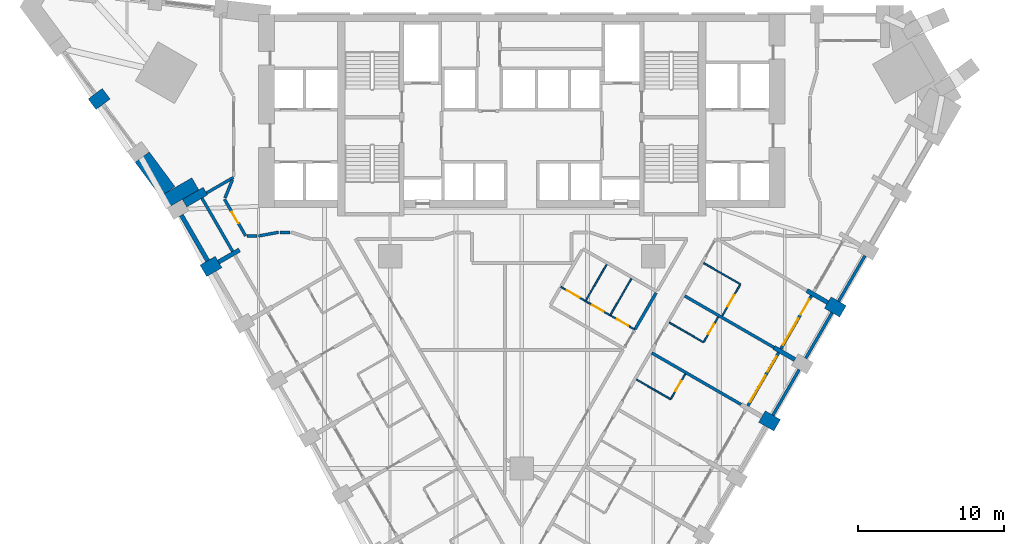
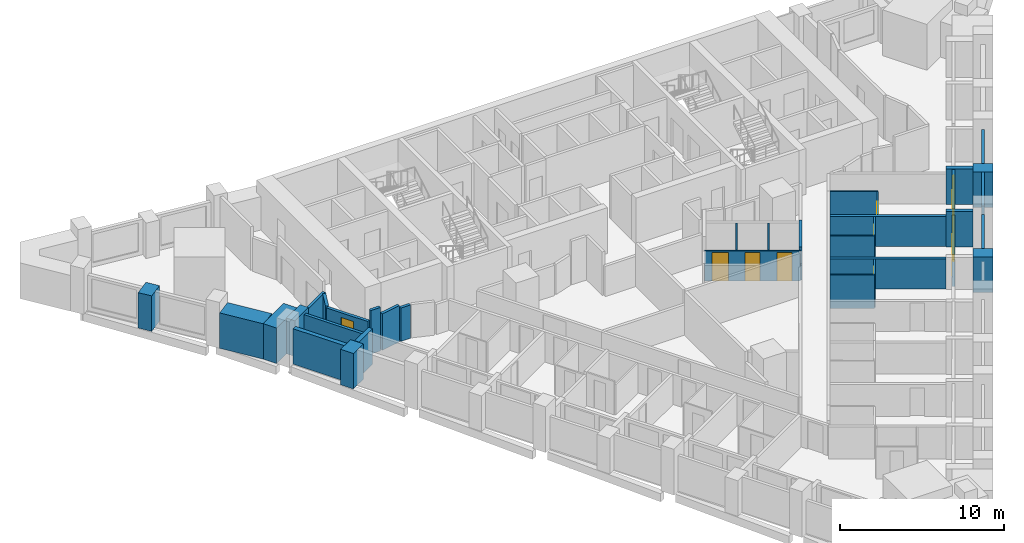
# One storey, part 6 of 12: 35 walls, 9 doors, 2 windows, 11 openings.
"""IFC4 building model written with IfcOpenShell, lengths in metres."""

from ifc_helpers import new_model, si_unit, direction, frame, frame_2d, origin, place, context, subcontext, project, spatial, polyline, rectangle, outline, extrude, material, layer, layer_set, type_object, element, fill, save


model = new_model("IFC4")

# Units and contexts
model_context = context("Model", 3, precision=1e-05, world=origin(), true_north=direction((0.0, 1.0)))
body_context = subcontext(model_context, "Body", "Model", "MODEL_VIEW")
ifc_project = project(units=[si_unit("LENGTHUNIT", "METRE"), si_unit("AREAUNIT", "SQUARE_METRE"), si_unit("VOLUMEUNIT", "CUBIC_METRE"), si_unit("PLANEANGLEUNIT", "RADIAN"), si_unit("MASSUNIT", "GRAM", prefix="KILO")], contexts=[model_context])

# Site, building, storey
site_placement = place(None, origin())
site = spatial("IfcSite", under=ifc_project, at=site_placement, CompositionType="ELEMENT")
building_placement = place(site_placement, origin())
building = spatial("IfcBuilding", under=site, at=building_placement, Name="Calabash Gate Tower", CompositionType="ELEMENT")
storey_placement = place(building_placement, frame((0.0, 0.0, 80.0)))
storey = spatial("IfcBuildingStorey", under=building, at=storey_placement, Name="L16", CompositionType="ELEMENT", Elevation=80.0)

# Walls
ifc_material_1 = material(Name="Terracotta brick masonry, exposed face", Category="masonry")
ifc_layer_1 = layer(ifc_material_1, 2.5)
ifc_layer_set_1 = layer_set([ifc_layer_1], Name="Brick corner mass wall 2500")
wall_type_1 = type_object("IfcWallType", Name="Brick corner mass wall 2500", PredefinedType="SOLIDWALL", material=ifc_layer_set_1)
wall_1_placement = place(storey_placement, frame((-22.32666015625, 7.466064453125, 0.0), z_axis=(0.0, 0.0, 1.0), x_axis=(-0.866022959057, -0.500004234368, 0.0)))
element("IfcWall", 1, at=wall_1_placement, inside=storey, type_object=wall_type_1, Name="Brick corner pier S04 1", PredefinedType="SOLIDWALL", context=body_context, shape_type="SweptSolid", body=[
    extrude(rectangle(XDim=2.5, YDim=0.951904296875, at=frame_2d((1.25, 0.0))), origin(), (0.0, 0.0, 1.0), 2.6298828125),
])
ifc_material_2 = material(Name="Terracotta brick masonry, exposed face", Category="masonry")
ifc_layer_2 = layer(ifc_material_2, 1.199951171875)
ifc_layer_set_2 = layer_set([ifc_layer_2], Name="Brick end wall 1200")
wall_type_2 = type_object("IfcWallType", Name="Brick end wall 1200", PredefinedType="SOLIDWALL", material=ifc_layer_set_2)
for number, where, z_axis, x_axis, name in (
    (2, (-21.77880859375, 1.51708984375, 0.0), (0.0, 0.0, 1.0), (0.866094119867, 0.499880961361, 0.0), "Brick pier S04 SW0.1"),
    (3, (17.467041015625, -9.05126953125, 0.0), (0.0, 0.0, 1.0), (-0.865955154139, 0.50012165622, 0.0), "Brick pier S04 SE2.5"),
    (4, (20.927978515625, -0.656982421875, 0.0), (0.0, 0.0, 1.0), (0.865955154139, -0.50012165622, 0.0), "Brick pier S04 SE2.7"),
    (5, (-29.388427734375, 12.91015625, 0.0), (0.0, 0.0, 1.0), (0.803477891264, 0.595334593527, 0.0), "Brick pier S04 wedge7.1"),
):
    element("IfcWall", number, at=place(storey_placement, frame(where, z_axis=z_axis, x_axis=x_axis)), inside=storey, type_object=wall_type_2, Name=name, PredefinedType="SOLIDWALL", context=body_context, shape_type="SweptSolid", body=[
        extrude(rectangle(XDim=1.199951171875, YDim=0.89990234375, at=frame_2d((0.60009765625, 0.0))), origin(), (0.0, 0.0, 1.0), 2.6298828125),
    ])
wall_2_placement = place(storey_placement, origin())
element("IfcWall", 6, at=wall_2_placement, inside=storey, type_object=wall_type_2, Name="Brick end wall S04 3", PredefinedType="SOLIDWALL", context=body_context, shape_type="SweptSolid", body=[
    extrude(outline(polyline([(-23.72802734375, 7.285400390625), (-25.4775390625, 9.64697265625), (-25.47802734375, 9.646728515625), (-25.47802734375, 9.646484375), (-26.441650390625, 8.9326171875), (-24.712646484375, 6.5986328125), (-24.729736328125, 6.628173828125), (-24.2099609375, 6.92822265625), (-23.72802734375, 7.285400390625)])), origin(), (0.0, 0.0, 1.0), 2.6298828125),
])
ifc_material_3 = material(Name="Terracotta brick masonry, exposed face", Category="masonry")
ifc_layer_3 = layer(ifc_material_3, 0.300048828125)
ifc_layer_set_3 = layer_set([ifc_layer_3], Name="Brick infill panel wall 300")
wall_type_3 = type_object("IfcWallType", Name="Brick infill panel wall 300", PredefinedType="SOLIDWALL", material=ifc_layer_set_3)
wall_3_placement = place(storey_placement, frame((-23.2841796875, 5.324462890625, 0.0), z_axis=(0.0, 0.0, 1.0), x_axis=(0.500012057535, -0.866018442252, 0.0)))
element("IfcWall", 7, at=wall_3_placement, inside=storey, type_object=wall_type_3, Name="Brick panel S04 SW0.1", PredefinedType="SOLIDWALL", context=body_context, shape_type="SweptSolid", body=[
    extrude(rectangle(XDim=3.60009765625, YDim=0.300048828125, at=frame_2d((1.800048828125, 0.0))), origin(), (0.0, 0.0, 1.0), 2.6298828125),
])
ifc_material_4 = material(Name="Terracotta brick masonry, exposed face", Category="masonry")
ifc_layer_4 = layer(ifc_material_4, 0.300048828125)
ifc_layer_set_4 = layer_set([ifc_layer_4], Name="Brick loggia cheek wall 300")
wall_type_4 = type_object("IfcWallType", Name="Brick loggia cheek wall 300", PredefinedType="SOLIDWALL", material=ifc_layer_set_4)
wall_4_placement = place(storey_placement, frame((-21.635498046875, 6.968994140625, 0.0), z_axis=(0.0, 0.0, 1.0), x_axis=(-0.866040211805, -0.499974350878, 0.0)))
element("IfcWall", 8, at=wall_4_placement, inside=storey, type_object=wall_type_4, Name="Loggia cheek S04 SW0.0", PredefinedType="SOLIDWALL", context=body_context, shape_type="SweptSolid", body=[
    extrude(rectangle(XDim=1.64990234375, YDim=0.60009765625, at=frame_2d((0.824951171875, 0.0))), origin(), (0.0, 0.0, 1.0), 2.64990234375),
])
wall_5_placement = place(storey_placement, frame((-20.739501953125, 2.116943359375, 0.0), z_axis=(0.0, 0.0, 1.0), x_axis=(0.865976140824, 0.500085316245, 0.0)))
element("IfcWall", 9, at=wall_5_placement, inside=storey, type_object=wall_type_4, Name="Loggia cheek S04 SW0.1", PredefinedType="SOLIDWALL", context=body_context, shape_type="SweptSolid", body=[
    extrude(rectangle(XDim=1.650146484375, YDim=0.300048828125, at=frame_2d((0.8251953125, 0.0))), origin(), (0.0, 0.0, 1.0), 2.64990234375),
])
wall_6_placement = place(storey_placement, frame((18.677490234375, -4.553955078125, 0.0), z_axis=(0.0, 0.0, 1.0), x_axis=(-0.865966208357, 0.500102515474, 0.0)))
element("IfcWall", 10, at=wall_6_placement, inside=storey, type_object=wall_type_4, Name="Loggia cheek S04 SE2.6", PredefinedType="SOLIDWALL", context=body_context, shape_type="SweptSolid", body=[
    extrude(rectangle(XDim=1.649658203125, YDim=0.300048828125, at=frame_2d((0.82470703125, 0.0))), origin(), (0.0, 0.0, 1.0), 2.6279296875),
])
wall_7_placement = place(storey_placement, frame((19.4990234375, 0.16796875, 0.0), z_axis=(0.0, 0.0, 1.0), x_axis=(0.866040211805, -0.499974350878, 0.0)))
element("IfcWall", 11, at=wall_7_placement, inside=storey, type_object=wall_type_4, Name="Loggia cheek S04 SE2.7", PredefinedType="SOLIDWALL", context=body_context, shape_type="SweptSolid", body=[
    extrude(rectangle(XDim=1.64990234375, YDim=0.300048828125, at=frame_2d((0.824951171875, 0.0))), origin(), (0.0, 0.0, 1.0), 2.64990234375),
])

# Wall, opening, door
ifc_material_5 = material(Name="Gypsum board on steel studs, mineral wool", Category="steel")
ifc_layer_5 = layer(ifc_material_5, 0.10009765625)
ifc_layer_set_5 = layer_set([ifc_layer_5], Name="Partition 100 gypsum board")
wall_type_5 = type_object("IfcWallType", Name="Partition 100 gypsum board", PredefinedType="PARTITIONING", material=ifc_layer_set_5)
wall_8_placement = place(storey_placement, frame((10.206787109375, -7.2265625, 0.0), z_axis=(0.0, 0.0, 1.0), x_axis=(0.49995005938, 0.866054235095, 0.0)))
wall_8 = element("IfcWall", 12, at=wall_8_placement, inside=storey, type_object=wall_type_5, Name="Partition", PredefinedType="PARTITIONING", context=body_context, shape_type="SweptSolid", body=[
    extrude(rectangle(XDim=1.949951171875, YDim=0.10009765625, at=frame_2d((0.97509765625, 0.0))), origin(), (0.0, 0.0, 1.0), 2.24169921875),
])
opening_1_placement = place(wall_8_placement, frame((0.60009765625, 0.0, 0.0)))
opening_1 = element("IfcOpeningElement", 13, at=opening_1_placement, cuts=wall_8, Name="Opening 15-17-021", PredefinedType="OPENING", context=body_context, shape_type="SweptSolid", body=[
    extrude(rectangle(XDim=0.800048828125, YDim=2.10009765625, at=frame_2d((0.39990234375, 1.050048828125))), frame((0.0, 0.06005859375, 0.0), z_axis=(0.0, -1.0, 0.0), x_axis=(1.0, 0.0, 0.0)), (0.0, 0.0, 1.0), 0.1201171875),
])
ifc_material_6 = material(Name="Painted timber door", Category="wood")
door_type_1 = type_object("IfcDoorType", Name="GD5 En-suite door 800x2100", OperationType="NOTDEFINED", PredefinedType="DOOR", material=ifc_material_6)
door_1_placement = place(opening_1_placement, origin())
door_1 = element("IfcDoor", 14, at=door_1_placement, inside=storey, type_object=door_type_1, Name="En-suite door", OperationType="SINGLE_SWING_RIGHT", OverallHeight=2.10009765625, OverallWidth=0.800048828125, PredefinedType="DOOR", context=body_context, shape_type="SweptSolid", body=[
    extrude(rectangle(XDim=0.800048828125, YDim=2.10009765625, at=frame_2d((0.39990234375, 1.050048828125))), frame((0.0, 0.02490234375, 0.0), z_axis=(0.0, -1.0, 0.0), x_axis=(1.0, 0.0, 0.0)), (0.0, 0.0, 1.0), 0.050048828125),
])
fill(opening_1, door_1)

# Wall
wall_9_placement = place(storey_placement, frame((7.844482421875, -5.91845703125, 0.0), z_axis=(0.0, 0.0, 1.0), x_axis=(0.865671764241, -0.500612022024, 0.0)))
element("IfcWall", 15, at=wall_9_placement, inside=storey, type_object=wall_type_5, Name="Partition", PredefinedType="PARTITIONING", context=body_context, shape_type="SweptSolid", body=[
    extrude(rectangle(XDim=2.69970703125, YDim=0.10009765625, at=frame_2d((1.349853515625, 0.0))), origin(), (0.0, 0.0, 1.0), 2.4736328125),
])

# Wall, opening, door
wall_10_placement = place(storey_placement, frame((12.456787109375, -3.32958984375, 0.0), z_axis=(0.0, 0.0, 1.0), x_axis=(0.49989585183, 0.866085525409, 0.0)))
wall_10 = element("IfcWall", 16, at=wall_10_placement, inside=storey, type_object=wall_type_5, Name="Partition", PredefinedType="PARTITIONING", context=body_context, shape_type="SweptSolid", body=[
    extrude(rectangle(XDim=1.9501953125, YDim=0.10009765625, at=frame_2d((0.97509765625, 0.0))), origin(), (0.0, 0.0, 1.0), 2.24169921875),
])
opening_2_placement = place(wall_10_placement, frame((0.60009765625, 0.0, 0.0)))
opening_2 = element("IfcOpeningElement", 17, at=opening_2_placement, cuts=wall_10, Name="Opening 15-17-024", PredefinedType="OPENING", context=body_context, shape_type="SweptSolid", body=[
    extrude(rectangle(XDim=0.800048828125, YDim=2.10009765625, at=frame_2d((0.39990234375, 1.050048828125))), frame((0.0, 0.06005859375, 0.0), z_axis=(0.0, -1.0, 0.0), x_axis=(1.0, 0.0, 0.0)), (0.0, 0.0, 1.0), 0.1201171875),
])
door_2_placement = place(opening_2_placement, origin())
door_2 = element("IfcDoor", 18, at=door_2_placement, inside=storey, type_object=door_type_1, Name="En-suite door", OperationType="SINGLE_SWING_RIGHT", OverallHeight=2.10009765625, OverallWidth=0.800048828125, PredefinedType="DOOR", context=body_context, shape_type="SweptSolid", body=[
    extrude(rectangle(XDim=0.800048828125, YDim=2.10009765625, at=frame_2d((0.39990234375, 1.050048828125))), frame((0.0, 0.02490234375, 0.0), z_axis=(0.0, -1.0, 0.0), x_axis=(1.0, 0.0, 0.0)), (0.0, 0.0, 1.0), 0.050048828125),
])
fill(opening_2, door_2)

# Wall
wall_11_placement = place(storey_placement, frame((10.094482421875, -2.021484375, 0.0), z_axis=(0.0, 0.0, 1.0), x_axis=(0.86571095196, -0.500544251447, 0.0)))
element("IfcWall", 19, at=wall_11_placement, inside=storey, type_object=wall_type_5, Name="Partition", PredefinedType="PARTITIONING", context=body_context, shape_type="SweptSolid", body=[
    extrude(rectangle(XDim=2.69970703125, YDim=0.10009765625, at=frame_2d((1.349853515625, 0.0))), origin(), (0.0, 0.0, 1.0), 2.24169921875),
])

# Wall, opening, door
wall_12_placement = place(storey_placement, frame((13.70361328125, -1.56640625, 0.0), z_axis=(0.0, 0.0, 1.0), x_axis=(0.500607988505, 0.865674096785, 0.0)))
wall_12 = element("IfcWall", 20, at=wall_12_placement, inside=storey, type_object=wall_type_5, Name="Partition", PredefinedType="PARTITIONING", context=body_context, shape_type="SweptSolid", body=[
    extrude(rectangle(XDim=2.44970703125, YDim=0.10009765625, at=frame_2d((1.224853515625, 0.0))), origin(), (0.0, 0.0, 1.0), 2.24169921875),
])
opening_3_placement = place(wall_12_placement, frame((0.749755859375, 0.0, 0.0)))
opening_3 = element("IfcOpeningElement", 21, at=opening_3_placement, cuts=wall_12, Name="Opening 15-17-026", PredefinedType="OPENING", context=body_context, shape_type="SweptSolid", body=[
    extrude(rectangle(XDim=0.89990234375, YDim=2.10009765625, at=frame_2d((0.449951171875, 1.050048828125))), frame((0.0, 0.06005859375, 0.0), z_axis=(0.0, -1.0, 0.0), x_axis=(1.0, 0.0, 0.0)), (0.0, 0.0, 1.0), 0.1201171875),
])
ifc_material_7 = material(Name="Painted timber door", Category="wood")
door_type_2 = type_object("IfcDoorType", Name="GD6 Accessible en-suite door 900x2100", OperationType="NOTDEFINED", PredefinedType="DOOR", material=ifc_material_7)
door_3_placement = place(opening_3_placement, origin())
door_3 = element("IfcDoor", 22, at=door_3_placement, inside=storey, type_object=door_type_2, Name="Accessible en-suite door", OperationType="SINGLE_SWING_RIGHT", OverallHeight=2.10009765625, OverallWidth=0.89990234375, PredefinedType="DOOR", context=body_context, shape_type="SweptSolid", body=[
    extrude(rectangle(XDim=0.89990234375, YDim=2.10009765625, at=frame_2d((0.449951171875, 1.050048828125))), frame((0.0, 0.02490234375, 0.0), z_axis=(0.0, -1.0, 0.0), x_axis=(1.0, 0.0, 0.0)), (0.0, 0.0, 1.0), 0.050048828125),
])
fill(opening_3, door_3)

# Walls
for number, where, z_axis, x_axis, name in (
    (23, (6.071044921875, -1.48583984375, 0.0), (0.0, 0.0, 1.0), (0.500536077286, 0.865715678115, 0.0), "Partition"),
    (24, (4.38232421875, -0.5107421875, 0.0), (0.0, 0.0, 1.0), (0.500536077286, 0.865715678115, 0.0), "Partition"),
):
    element("IfcWall", number, at=place(storey_placement, frame(where, z_axis=z_axis, x_axis=x_axis)), inside=storey, type_object=wall_type_5, Name=name, PredefinedType="PARTITIONING", context=body_context, shape_type="SweptSolid", body=[
        extrude(rectangle(XDim=2.847900390625, YDim=0.10009765625, at=frame_2d((1.423828125, 0.0))), origin(), (0.0, 0.0, 1.0), 2.24169921875),
    ])

# Wall, openings, doors
wall_13_placement = place(storey_placement, frame((2.67041015625, 0.419921875, 0.0), z_axis=(0.0, 0.0, 1.0), x_axis=(0.866025730634, -0.499999433879, 0.0)))
wall_13 = element("IfcWall", 25, at=wall_13_placement, inside=storey, type_object=wall_type_5, Name="Partition", PredefinedType="PARTITIONING", context=body_context, shape_type="SweptSolid", body=[
    extrude(rectangle(XDim=5.849609375, YDim=0.10009765625, at=frame_2d((2.9248046875, 0.0))), origin(), (0.0, 0.0, 1.0), 2.24169921875),
])
opening_4_placement = place(wall_13_placement, frame((4.4248046875, 0.0, 0.0)))
opening_4 = element("IfcOpeningElement", 26, at=opening_4_placement, cuts=wall_13, Name="Opening 15-17-033", PredefinedType="OPENING", context=body_context, shape_type="SweptSolid", body=[
    extrude(rectangle(XDim=0.89990234375, YDim=2.10009765625, at=frame_2d((0.449951171875, 1.050048828125))), frame((0.0, 0.06005859375, 0.0), z_axis=(0.0, -1.0, 0.0), x_axis=(1.0, 0.0, 0.0)), (0.0, 0.0, 1.0), 0.1201171875),
])
opening_5_placement = place(wall_13_placement, frame((2.474853515625, 0.0, 0.0)))
opening_5 = element("IfcOpeningElement", 27, at=opening_5_placement, cuts=wall_13, Name="Opening 15-17-034", PredefinedType="OPENING", context=body_context, shape_type="SweptSolid", body=[
    extrude(rectangle(XDim=0.89990234375, YDim=2.10009765625, at=frame_2d((0.449951171875, 1.050048828125))), frame((0.0, 0.06005859375, 0.0), z_axis=(0.0, -1.0, 0.0), x_axis=(1.0, 0.0, 0.0)), (0.0, 0.0, 1.0), 0.1201171875),
])
opening_6_placement = place(wall_13_placement, frame((0.474853515625, 0.0, 0.0)))
opening_6 = element("IfcOpeningElement", 28, at=opening_6_placement, cuts=wall_13, Name="Opening 15-17-035", PredefinedType="OPENING", context=body_context, shape_type="SweptSolid", body=[
    extrude(rectangle(XDim=1.0, YDim=2.10009765625, at=frame_2d((0.5, 1.050048828125))), frame((0.0, 0.06005859375, 0.0), z_axis=(0.0, -1.0, 0.0), x_axis=(1.0, 0.0, 0.0)), (0.0, 0.0, 1.0), 0.1201171875),
])
ifc_material_8 = material(Name="Painted timber door", Category="wood")
door_type_3 = type_object("IfcDoorType", Name="WD1 WC door 900x2100", OperationType="NOTDEFINED", PredefinedType="DOOR", material=ifc_material_8)
door_4_placement = place(opening_4_placement, origin())
door_4 = element("IfcDoor", 29, at=door_4_placement, inside=storey, type_object=door_type_3, Name="WC door", OperationType="SINGLE_SWING_RIGHT", OverallHeight=2.10009765625, OverallWidth=0.89990234375, PredefinedType="DOOR", context=body_context, shape_type="SweptSolid", body=[
    extrude(rectangle(XDim=0.89990234375, YDim=2.10009765625, at=frame_2d((0.449951171875, 1.050048828125))), frame((0.0, 0.02490234375, 0.0), z_axis=(0.0, -1.0, 0.0), x_axis=(1.0, 0.0, 0.0)), (0.0, 0.0, 1.0), 0.050048828125),
])
fill(opening_4, door_4)
door_5_placement = place(opening_5_placement, origin())
door_5 = element("IfcDoor", 30, at=door_5_placement, inside=storey, type_object=door_type_3, Name="WC door", OperationType="SINGLE_SWING_LEFT", OverallHeight=2.10009765625, OverallWidth=0.89990234375, PredefinedType="DOOR", context=body_context, shape_type="SweptSolid", body=[
    extrude(rectangle(XDim=0.89990234375, YDim=2.10009765625, at=frame_2d((0.449951171875, 1.050048828125))), frame((0.0, 0.02490234375, 0.0), z_axis=(0.0, -1.0, 0.0), x_axis=(1.0, 0.0, 0.0)), (0.0, 0.0, 1.0), 0.050048828125),
])
fill(opening_5, door_5)
ifc_material_9 = material(Name="Painted timber door", Category="wood")
door_type_4 = type_object("IfcDoorType", Name="WD2 Accessible WC door 1000x2100", OperationType="NOTDEFINED", PredefinedType="DOOR", material=ifc_material_9)
door_6_placement = place(opening_6_placement, origin())
door_6 = element("IfcDoor", 31, at=door_6_placement, inside=storey, type_object=door_type_4, Name="Accessible WC door", OperationType="SINGLE_SWING_LEFT", OverallHeight=2.10009765625, OverallWidth=1.0, PredefinedType="DOOR", context=body_context, shape_type="SweptSolid", body=[
    extrude(rectangle(XDim=1.0, YDim=2.10009765625, at=frame_2d((0.5, 1.050048828125))), frame((0.0, 0.02490234375, 0.0), z_axis=(0.0, -1.0, 0.0), x_axis=(1.0, 0.0, 0.0)), (0.0, 0.0, 1.0), 0.050048828125),
])
fill(opening_6, door_6)

# Walls
wall_14_placement = place(storey_placement, frame((12.44287109375, 2.0458984375, 0.0), z_axis=(0.0, 0.0, 1.0), x_axis=(0.866329932158, -0.499472170042, 0.0)))
element("IfcWall", 32, at=wall_14_placement, inside=storey, type_object=wall_type_5, Name="Partition", PredefinedType="PARTITIONING", context=body_context, shape_type="SweptSolid", body=[
    extrude(rectangle(XDim=2.899658203125, YDim=0.10009765625, at=frame_2d((1.44970703125, 0.0))), origin(), (0.0, 0.0, 1.0), 2.24169921875),
])
ifc_material_10 = material(Name="Gypsum board on steel studs, mineral wool", Category="steel")
ifc_layer_6 = layer(ifc_material_10, 0.199951171875)
ifc_layer_set_6 = layer_set([ifc_layer_6], Name="Partition 200 gypsum board EI 60")
wall_type_6 = type_object("IfcWallType", Name="Partition 200 gypsum board EI 60", PredefinedType="PARTITIONING", material=ifc_layer_set_6)
wall_15_placement = place(storey_placement, frame((8.89453125, -4.099609375, 0.0), z_axis=(0.0, 0.0, 1.0), x_axis=(0.865906406618, -0.500206052519, 0.0)))
element("IfcWall", 33, at=wall_15_placement, inside=storey, type_object=wall_type_6, Name="Partition", PredefinedType="PARTITIONING", context=body_context, shape_type="SweptSolid", body=[
    extrude(rectangle(XDim=7.0498046875, YDim=0.199951171875, at=frame_2d((3.52490234375, 0.0))), origin(), (0.0, 0.0, 1.0), 2.24169921875),
])
wall_16_placement = place(storey_placement, frame((7.7587890625, -2.46240234375, 0.0), z_axis=(0.0, 0.0, 1.0), x_axis=(0.500533044877, 0.865717431375, 0.0)))
element("IfcWall", 34, at=wall_16_placement, inside=storey, type_object=wall_type_6, Name="Partition", PredefinedType="PARTITIONING", context=body_context, shape_type="SweptSolid", body=[
    extrude(rectangle(XDim=2.85009765625, YDim=0.199951171875, at=frame_2d((1.425048828125, 0.0))), origin(), (0.0, 0.0, 1.0), 2.4736328125),
])
wall_17_placement = place(storey_placement, frame((11.14453125, -0.202392578125, 0.0), z_axis=(0.0, 0.0, 1.0), x_axis=(0.866031034943, -0.499990246421, 0.0)))
element("IfcWall", 35, at=wall_17_placement, inside=storey, type_object=wall_type_6, Name="Partition", PredefinedType="PARTITIONING", context=body_context, shape_type="SweptSolid", body=[
    extrude(rectangle(XDim=7.050048828125, YDim=0.199951171875, at=frame_2d((3.52490234375, 0.0))), origin(), (0.0, 0.0, 1.0), 2.24169921875),
])

# Wall, opening, door
wall_18_placement = place(storey_placement, frame((-20.333984375, 6.4140625, 0.0), z_axis=(0.0, 0.0, 1.0), x_axis=(0.499991774685, -0.86603015262, 0.0)))
wall_18 = element("IfcWall", 36, at=wall_18_placement, inside=storey, type_object=wall_type_6, Name="Partition", PredefinedType="PARTITIONING", context=body_context, shape_type="SweptSolid", body=[
    extrude(rectangle(XDim=2.9033203125, YDim=0.199951171875, at=frame_2d((1.45166015625, 0.0))), origin(), (0.0, 0.0, 1.0), 2.4501953125),
])
opening_7_placement = place(wall_18_placement, frame((1.001708984375, 0.0, 0.0)))
opening_7 = element("IfcOpeningElement", 37, at=opening_7_placement, cuts=wall_18, Name="Opening 15-17-039", PredefinedType="OPENING", context=body_context, shape_type="SweptSolid", body=[
    extrude(rectangle(XDim=0.89990234375, YDim=2.10009765625, at=frame_2d((0.449951171875, 1.050048828125))), frame((0.0, 0.10986328125, 0.0), z_axis=(0.0, -1.0, 0.0), x_axis=(1.0, 0.0, 0.0)), (0.0, 0.0, 1.0), 0.219970703125),
])
ifc_material_11 = material(Name="Steel fire door set with fire-resisting glazing", Category="steel")
door_type_5 = type_object("IfcDoorType", Name="SD3 Store door 900x2100", OperationType="NOTDEFINED", PredefinedType="DOOR", material=ifc_material_11)
door_7_placement = place(opening_7_placement, origin())
door_7 = element("IfcDoor", 38, at=door_7_placement, inside=storey, type_object=door_type_5, Name="Store door", OperationType="SINGLE_SWING_RIGHT", OverallHeight=2.10009765625, OverallWidth=0.89990234375, PredefinedType="DOOR", context=body_context, shape_type="SweptSolid", body=[
    extrude(rectangle(XDim=0.89990234375, YDim=2.10009765625, at=frame_2d((0.449951171875, 1.050048828125))), frame((0.0, 0.02490234375, 0.0), z_axis=(0.0, -1.0, 0.0), x_axis=(1.0, 0.0, 0.0)), (0.0, 0.0, 1.0), 0.050048828125),
])
fill(opening_7, door_7)

# Walls
wall_19_placement = place(storey_placement, frame((-18.782470703125, 3.8994140625, 0.0), z_axis=(0.0, 0.0, 1.0), x_axis=(1.0, 0.0, 0.0)))
element("IfcWall", 39, at=wall_19_placement, inside=storey, type_object=wall_type_6, Name="Partition", PredefinedType="PARTITIONING", context=body_context, shape_type="SweptSolid", body=[
    extrude(rectangle(XDim=0.682373046875, YDim=0.199951171875, at=frame_2d((0.34130859375, 0.0))), origin(), (0.0, 0.0, 1.0), 3.22998046875),
])
wall_20_placement = place(storey_placement, frame((-18.0, 3.8994140625, 0.0), z_axis=(0.0, 0.0, 1.0), x_axis=(0.983117478865, 0.182975470352, 0.0)))
element("IfcWall", 40, at=wall_20_placement, inside=storey, type_object=wall_type_6, Name="Partition", PredefinedType="PARTITIONING", context=body_context, shape_type="SweptSolid", body=[
    extrude(rectangle(XDim=1.380859375, YDim=0.199951171875, at=frame_2d((0.6904296875, 0.0))), origin(), (0.0, 0.0, 1.0), 2.701904296875),
])
wall_21_placement = place(storey_placement, frame((-16.542236328125, 4.152099609375, 0.0), z_axis=(0.0, 0.0, 1.0), x_axis=(1.0, 0.0, 0.0)))
element("IfcWall", 41, at=wall_21_placement, inside=storey, type_object=wall_type_6, Name="Partition", PredefinedType="PARTITIONING", context=body_context, shape_type="SweptSolid", body=[
    extrude(rectangle(XDim=0.684326171875, YDim=0.199951171875, at=frame_2d((0.34228515625, 0.0))), origin(), (0.0, 0.0, 1.0), 2.4736328125),
])
wall_22_placement = place(storey_placement, frame((-20.296142578125, 6.506591796875, 0.0), z_axis=(0.0, 0.0, 1.0), x_axis=(0.379924425103, 0.925017530218, 0.0)))
element("IfcWall", 42, at=wall_22_placement, inside=storey, type_object=wall_type_6, Name="Partition", PredefinedType="PARTITIONING", context=body_context, shape_type="SweptSolid", body=[
    extrude(rectangle(XDim=1.339111328125, YDim=0.199951171875, at=frame_2d((0.66943359375, 0.0))), origin(), (0.0, 0.0, 1.0), 2.4736328125),
])
wall_23_placement = place(storey_placement, frame((-21.560546875, 6.839111328125, 0.0), z_axis=(0.0, 0.0, 1.0), x_axis=(0.866480611472, 0.499210726992, 0.0)))
element("IfcWall", 43, at=wall_23_placement, inside=storey, type_object=wall_type_6, Name="Partition", PredefinedType="PARTITIONING", context=body_context, shape_type="SweptSolid", body=[
    extrude(rectangle(XDim=2.12060546875, YDim=0.199951171875, at=frame_2d((1.060302734375, 0.0))), origin(), (0.0, 0.0, 1.0), 2.4736328125),
])
ifc_material_12 = material(Name="Terracotta brick masonry, perforated", Category="masonry")
ifc_layer_7 = layer(ifc_material_12, 0.199951171875)
ifc_layer_set_7 = layer_set([ifc_layer_7], Name="Terracotta jaali screen B")
wall_type_7 = type_object("IfcWallType", Name="Terracotta jaali screen B", PredefinedType="SOLIDWALL", material=ifc_layer_set_7)
for number, where, z_axis, x_axis, name in (
    (44, (17.17236328125, -8.361572265625, 0.0), (0.0, 0.0, 1.0), (0.500012057535, 0.866018442252, 0.0), "SCREEN B S04 SE2.6"),
    (45, (19.42236328125, -4.46435546875, 0.0), (0.0, 0.0, 1.0), (0.500012057535, 0.866018442252, 0.0), "SCREEN B S04 SE2.7"),
):
    element("IfcWall", number, at=place(storey_placement, frame(where, z_axis=z_axis, x_axis=x_axis)), inside=storey, type_object=wall_type_7, Name=name, PredefinedType="SOLIDWALL", context=body_context, shape_type="SweptSolid", body=[
        extrude(rectangle(XDim=3.60009765625, YDim=0.199951171875, at=frame_2d((1.800048828125, 0.0))), origin(), (0.0, 0.0, 1.0), 2.6298828125),
    ])
wall_24_placement = place(storey_placement, frame((21.67236328125, -0.5673828125, 0.0), z_axis=(0.0, 0.0, 1.0), x_axis=(0.499982693035, 0.866035395735, 0.0)))
element("IfcWall", 46, at=wall_24_placement, inside=storey, type_object=wall_type_7, Name="SCREEN B S04 SE2.8", PredefinedType="SOLIDWALL", context=body_context, shape_type="SweptSolid", body=[
    extrude(rectangle(XDim=3.600341796875, YDim=0.199951171875, at=frame_2d((1.80029296875, 0.0))), origin(), (0.0, 0.0, 1.0), 2.6298828125),
])
ifc_material_13 = material(Name="Aluminium framed window wall with insulated spandrel", Category="aluminium")
ifc_layer_8 = layer(ifc_material_13, 0.199951171875)
ifc_layer_set_8 = layer_set([ifc_layer_8], Name="Window wall 200")
wall_type_8 = type_object("IfcWallType", Name="Window wall 200", PredefinedType="ELEMENTEDWALL", material=ifc_layer_set_8)
wall_25_placement = place(storey_placement, frame((-21.875244140625, 6.484130859375, 0.0), z_axis=(0.0, 0.0, 1.0), x_axis=(0.49998411664, -0.866034573852, 0.0)))
element("IfcWall", 47, at=wall_25_placement, inside=storey, type_object=wall_type_8, Name="Window wall S04 SW0.1", PredefinedType="ELEMENTEDWALL", context=body_context, shape_type="SweptSolid", body=[
    extrude(rectangle(XDim=4.199951171875, YDim=0.199951171875, at=frame_2d((2.10009765625, 0.0))), origin(), (0.0, 0.0, 1.0), 2.4501953125),
])

# Wall, openings, door, window
wall_26_placement = place(storey_placement, frame((15.463623046875, -7.72119140625, 0.0), z_axis=(0.0, 0.0, 1.0), x_axis=(0.500027713859, 0.866009402589, 0.0)))
wall_26 = element("IfcWall", 48, at=wall_26_placement, inside=storey, type_object=wall_type_8, Name="Window wall S04 SE2.6", PredefinedType="ELEMENTEDWALL", context=body_context, shape_type="SweptSolid", body=[
    extrude(rectangle(XDim=4.199951171875, YDim=0.199951171875, at=frame_2d((2.10009765625, 0.0))), origin(), (0.0, 0.0, 1.0), 2.384033203125),
])
opening_8_placement = place(wall_26_placement, frame((0.300048828125, 0.0, 0.60009765625)))
opening_8 = element("IfcOpeningElement", 49, at=opening_8_placement, cuts=wall_26, Name="Opening HW1L-1680", PredefinedType="OPENING", context=body_context, shape_type="SweptSolid", body=[
    extrude(rectangle(XDim=2.10009765625, YDim=1.679931640625, at=frame_2d((1.050048828125, 0.83984375))), frame((0.0, 0.10986328125, 0.0), z_axis=(0.0, -1.0, 0.0), x_axis=(1.0, 0.0, 0.0)), (0.0, 0.0, 1.0), 0.219970703125),
])
opening_9_placement = place(wall_26_placement, frame((2.699951171875, 0.0, 0.0)))
opening_9 = element("IfcOpeningElement", 50, at=opening_9_placement, cuts=wall_26, Name="Opening H4-023", PredefinedType="OPENING", context=body_context, shape_type="SweptSolid", body=[
    extrude(rectangle(XDim=1.199951171875, YDim=2.280029296875, at=frame_2d((0.60009765625, 1.14013671875))), frame((0.0, 0.10986328125, 0.0), z_axis=(0.0, -1.0, 0.0), x_axis=(1.0, 0.0, 0.0)), (0.0, 0.0, 1.0), 0.219970703125),
])
ifc_material_14 = material(Name="Anodised aluminium frame, bronze finish, impact-rated laminated clear glazing", Category="aluminium")
door_type_6 = type_object("IfcDoorType", Name="Loggia door DH1L-2280 1200x2280", OperationType="SLIDING_TO_LEFT", PredefinedType="DOOR", material=ifc_material_14)
door_8_placement = place(opening_9_placement, origin())
door_8 = element("IfcDoor", 51, at=door_8_placement, inside=storey, type_object=door_type_6, Name="Loggia door S04 SE2.6", OperationType="SINGLE_SWING_LEFT", OverallHeight=2.280029296875, OverallWidth=1.199951171875, PredefinedType="DOOR", context=body_context, shape_type="SweptSolid", body=[
    extrude(rectangle(XDim=1.199951171875, YDim=2.280029296875, at=frame_2d((0.60009765625, 1.14013671875))), frame((0.0, 0.02490234375, 0.0), z_axis=(0.0, -1.0, 0.0), x_axis=(1.0, 0.0, 0.0)), (0.0, 0.0, 1.0), 0.050048828125),
])
fill(opening_9, door_8)
ifc_material_15 = material(Name="Anodised aluminium frame, bronze finish, impact-rated laminated clear glazing", Category="aluminium")
window_type_1 = type_object("IfcWindowType", Name="Window HW1L 2100x1680", PartitioningType="DOUBLE_PANEL_VERTICAL", PredefinedType="WINDOW", material=ifc_material_15)
window_1_placement = place(opening_8_placement, origin())
window_1 = element("IfcWindow", 52, at=window_1_placement, inside=storey, type_object=window_type_1, Name="Window HW1 S04 SE2.6", OverallHeight=1.679931640625, OverallWidth=2.10009765625, PartitioningType="SINGLE_PANEL", PredefinedType="WINDOW", context=body_context, shape_type="SweptSolid", body=[
    extrude(rectangle(XDim=2.10009765625, YDim=1.679931640625, at=frame_2d((1.050048828125, 0.83984375))), frame((0.0, 0.030029296875, 0.0), z_axis=(0.0, -1.0, 0.0), x_axis=(1.0, 0.0, 0.0)), (0.0, 0.0, 1.0), 0.06005859375),
])
fill(opening_8, window_1)

wall_27_placement = place(storey_placement, frame((17.713623046875, -3.82421875, 0.0), z_axis=(0.0, 0.0, 1.0), x_axis=(0.500027713859, 0.866009402589, 0.0)))
wall_27 = element("IfcWall", 53, at=wall_27_placement, inside=storey, type_object=wall_type_8, Name="Window wall S04 SE2.7", PredefinedType="ELEMENTEDWALL", context=body_context, shape_type="SweptSolid", body=[
    extrude(rectangle(XDim=4.199951171875, YDim=0.199951171875, at=frame_2d((2.10009765625, 0.0))), origin(), (0.0, 0.0, 1.0), 2.6279296875),
])
opening_10_placement = place(wall_27_placement, frame((0.300048828125, 0.0, 0.60009765625)))
opening_10 = element("IfcOpeningElement", 54, at=opening_10_placement, cuts=wall_27, Name="Opening HW1", PredefinedType="OPENING", context=body_context, shape_type="SweptSolid", body=[
    extrude(rectangle(XDim=2.10009765625, YDim=1.800048828125, at=frame_2d((1.050048828125, 0.89990234375))), frame((0.0, 0.10986328125, 0.0), z_axis=(0.0, -1.0, 0.0), x_axis=(1.0, 0.0, 0.0)), (0.0, 0.0, 1.0), 0.219970703125),
])
opening_11_placement = place(wall_27_placement, frame((2.699951171875, 0.0, 0.0)))
opening_11 = element("IfcOpeningElement", 55, at=opening_11_placement, cuts=wall_27, Name="Opening H4-024", PredefinedType="OPENING", context=body_context, shape_type="SweptSolid", body=[
    extrude(rectangle(XDim=1.199951171875, YDim=2.39990234375, at=frame_2d((0.60009765625, 1.199951171875))), frame((0.0, 0.10986328125, 0.0), z_axis=(0.0, -1.0, 0.0), x_axis=(1.0, 0.0, 0.0)), (0.0, 0.0, 1.0), 0.219970703125),
])
ifc_material_16 = material(Name="Anodised aluminium frame, bronze finish, impact-rated laminated clear glazing", Category="aluminium")
door_type_7 = type_object("IfcDoorType", Name="Loggia door DH1 1200x2400", OperationType="SLIDING_TO_LEFT", PredefinedType="DOOR", material=ifc_material_16)
door_9_placement = place(opening_11_placement, origin())
door_9 = element("IfcDoor", 56, at=door_9_placement, inside=storey, type_object=door_type_7, Name="Loggia door S04 SE2.7", OperationType="SINGLE_SWING_LEFT", OverallHeight=2.39990234375, OverallWidth=1.199951171875, PredefinedType="DOOR", context=body_context, shape_type="SweptSolid", body=[
    extrude(rectangle(XDim=1.199951171875, YDim=2.39990234375, at=frame_2d((0.60009765625, 1.199951171875))), frame((0.0, 0.02490234375, 0.0), z_axis=(0.0, -1.0, 0.0), x_axis=(1.0, 0.0, 0.0)), (0.0, 0.0, 1.0), 0.050048828125),
])
fill(opening_11, door_9)
ifc_material_17 = material(Name="Anodised aluminium frame, bronze finish, impact-rated laminated clear glazing", Category="aluminium")
window_type_2 = type_object("IfcWindowType", Name="Window HW1 2100x1800", PartitioningType="DOUBLE_PANEL_VERTICAL", PredefinedType="WINDOW", material=ifc_material_17)
window_2_placement = place(opening_10_placement, origin())
window_2 = element("IfcWindow", 57, at=window_2_placement, inside=storey, type_object=window_type_2, Name="Window HW1 S04 SE2.7", OverallHeight=1.800048828125, OverallWidth=2.10009765625, PartitioningType="SINGLE_PANEL", PredefinedType="WINDOW", context=body_context, shape_type="SweptSolid", body=[
    extrude(rectangle(XDim=2.10009765625, YDim=1.800048828125, at=frame_2d((1.050048828125, 0.89990234375))), frame((0.0, 0.030029296875, 0.0), z_axis=(0.0, -1.0, 0.0), x_axis=(1.0, 0.0, 0.0)), (0.0, 0.0, 1.0), 0.06005859375),
])
fill(opening_10, window_2)

save(model, "model.ifc")
